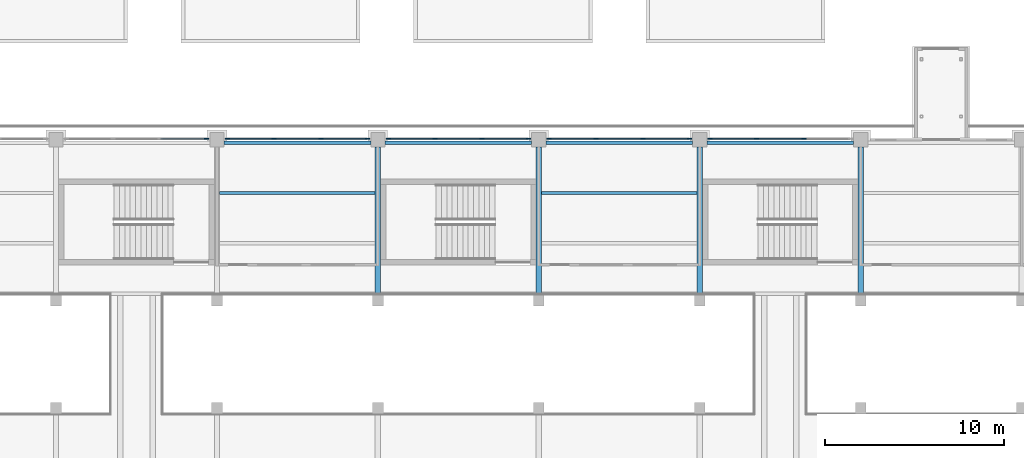
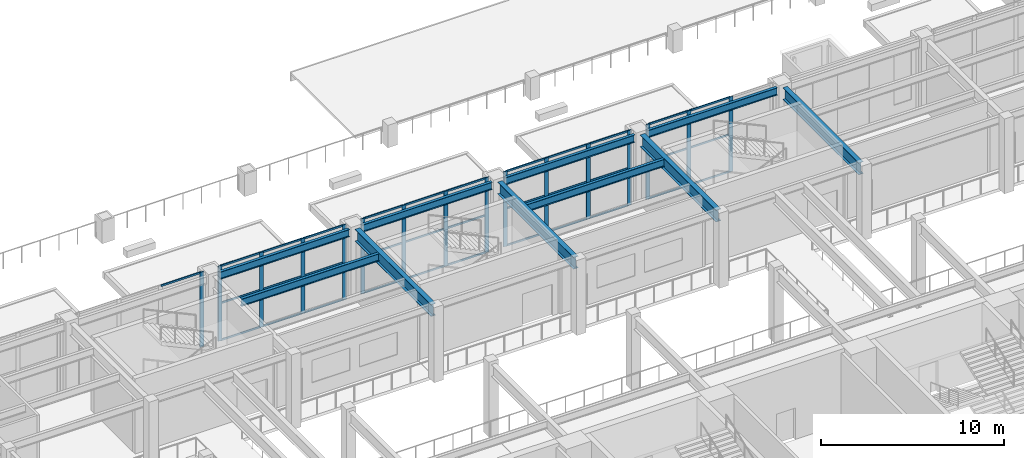
# One storey, part 15 of 67: 50 members, 10 beams, 5 elements without a shape of their own.
"""IFC4 building model written with IfcOpenShell, lengths in metres."""

from ifc_helpers import new_model, si_unit, direction, frame, origin, origin_2d, place, context, subcontext, project, spatial, rectangle, i_section, extrude, material, material_profile, profile_set, type_object, element, aggregate, save


model = new_model("IFC4")

# Units and contexts
model_context = context("Model", 3, precision=1e-05, world=origin(), true_north=direction((0.0, 1.0)))
body_context = subcontext(model_context, "Body", "Model", "MODEL_VIEW")
ifc_project = project(units=[si_unit("LENGTHUNIT", "METRE"), si_unit("AREAUNIT", "SQUARE_METRE"), si_unit("VOLUMEUNIT", "CUBIC_METRE"), si_unit("PLANEANGLEUNIT", "RADIAN"), si_unit("MASSUNIT", "GRAM", prefix="KILO")], contexts=[model_context])

# Site, building, storey
site_placement = place(None, origin())
site = spatial("IfcSite", under=ifc_project, at=site_placement, CompositionType="ELEMENT")
building_placement = place(site_placement, origin())
building = spatial("IfcBuilding", under=site, at=building_placement, Name="Aravalli Gate Trade Fair Centre", CompositionType="ELEMENT")
storey_placement = place(building_placement, frame((0.0, 0.0, 5.0)))
storey = spatial("IfcBuildingStorey", under=building, at=storey_placement, Name="L01", CompositionType="ELEMENT", Elevation=5.0)

# Curtain wall, member
ifc_material_1 = material(Name="Aluminium and glass", Category="aluminium")
curtain_wall_type = type_object("IfcCurtainWallType", Name="Curtain wall 3000 module, tall", PredefinedType="NOTDEFINED", material=ifc_material_1)
curtain_wall_1_placement = place(storey_placement, origin())
curtain_wall_1 = element("IfcCurtainWall", 1, at=curtain_wall_1_placement, inside=storey, type_object=curtain_wall_type, Name="Curtain wall north bay 4 L01", PredefinedType="NOTDEFINED")
ifc_material_2 = material(Name="Aluminium", Category="aluminium")
ifc_material_profile_1 = material_profile(ifc_material_2, rectangle(XDim=0.06005859375, YDim=0.25, at=origin_2d()), Name="Concourse curtain wall mullion 60 x 250")
ifc_profile_set_1 = profile_set([ifc_material_profile_1], Name="Aluminium")
member_type_1 = type_object("IfcMemberType", Name="Concourse curtain wall mullion 60 x 250", PredefinedType="MULLION", material=ifc_profile_set_1)
member_1_placement = place(storey_placement, frame((41.419921875, 133.044921875, 0.0), z_axis=(0.0, 0.0, 1.0), x_axis=(0.0, 1.0, 0.0)))
member_1 = element("IfcMember", 2, at=member_1_placement, type_object=member_type_1, Name="CW3 mullion 4", PredefinedType="MULLION", context=body_context, shape_type="SweptSolid", body=[
    extrude(rectangle(XDim=0.06005859375, YDim=0.25, at=origin_2d()), origin(), (0.0, 0.0, 1.0), 5.0),
])

# Curtain wall, members
curtain_wall_2_placement = place(storey_placement, origin())
curtain_wall_2 = element("IfcCurtainWall", 3, at=curtain_wall_2_placement, inside=storey, type_object=curtain_wall_type, Name="Curtain wall north bay 5 L01", PredefinedType="NOTDEFINED")
member_2_placement = place(storey_placement, frame((42.580078125, 133.044921875, 0.0), z_axis=(0.0, 0.0, 1.0), x_axis=(0.0, 1.0, 0.0)))
member_2 = element("IfcMember", 4, at=member_2_placement, type_object=member_type_1, Name="CW3 mullion 1", PredefinedType="MULLION", context=body_context, shape_type="SweptSolid", body=[
    extrude(rectangle(XDim=0.06005859375, YDim=0.25, at=origin_2d()), origin(), (0.0, 0.0, 1.0), 5.0),
])
member_3_placement = place(storey_placement, frame((45.183349609375, 133.044921875, 0.0), z_axis=(0.0, 0.0, 1.0), x_axis=(0.0, 1.0, 0.0)))
member_3 = element("IfcMember", 5, at=member_3_placement, type_object=member_type_1, Name="CW3 mullion 2", PredefinedType="MULLION", context=body_context, shape_type="SweptSolid", body=[
    extrude(rectangle(XDim=0.06005859375, YDim=0.25, at=origin_2d()), origin(), (0.0, 0.0, 1.0), 5.0),
])
member_4_placement = place(storey_placement, frame((47.816650390625, 133.044921875, 0.0), z_axis=(0.0, 0.0, 1.0), x_axis=(0.0, 1.0, 0.0)))
member_4 = element("IfcMember", 6, at=member_4_placement, type_object=member_type_1, Name="CW3 mullion 3", PredefinedType="MULLION", context=body_context, shape_type="SweptSolid", body=[
    extrude(rectangle(XDim=0.06005859375, YDim=0.25, at=origin_2d()), origin(), (0.0, 0.0, 1.0), 5.0),
])
member_5_placement = place(storey_placement, frame((50.419921875, 133.044921875, 0.0), z_axis=(0.0, 0.0, 1.0), x_axis=(0.0, 1.0, 0.0)))
member_5 = element("IfcMember", 7, at=member_5_placement, type_object=member_type_1, Name="CW3 mullion 4", PredefinedType="MULLION", context=body_context, shape_type="SweptSolid", body=[
    extrude(rectangle(XDim=0.06005859375, YDim=0.25, at=origin_2d()), origin(), (0.0, 0.0, 1.0), 5.0),
])

curtain_wall_3_placement = place(storey_placement, origin())
curtain_wall_3 = element("IfcCurtainWall", 8, at=curtain_wall_3_placement, inside=storey, type_object=curtain_wall_type, Name="Curtain wall north bay 6 L01", PredefinedType="NOTDEFINED")
member_6_placement = place(storey_placement, frame((51.580078125, 133.044921875, 0.0), z_axis=(0.0, 0.0, 1.0), x_axis=(0.0, 1.0, 0.0)))
member_6 = element("IfcMember", 9, at=member_6_placement, type_object=member_type_1, Name="CW3 mullion 1", PredefinedType="MULLION", context=body_context, shape_type="SweptSolid", body=[
    extrude(rectangle(XDim=0.06005859375, YDim=0.25, at=origin_2d()), origin(), (0.0, 0.0, 1.0), 5.0),
])
member_7_placement = place(storey_placement, frame((54.183349609375, 133.044921875, 0.0), z_axis=(0.0, 0.0, 1.0), x_axis=(0.0, 1.0, 0.0)))
member_7 = element("IfcMember", 10, at=member_7_placement, type_object=member_type_1, Name="CW3 mullion 2", PredefinedType="MULLION", context=body_context, shape_type="SweptSolid", body=[
    extrude(rectangle(XDim=0.06005859375, YDim=0.25, at=origin_2d()), origin(), (0.0, 0.0, 1.0), 5.0),
])
member_8_placement = place(storey_placement, frame((56.816650390625, 133.044921875, 0.0), z_axis=(0.0, 0.0, 1.0), x_axis=(0.0, 1.0, 0.0)))
member_8 = element("IfcMember", 11, at=member_8_placement, type_object=member_type_1, Name="CW3 mullion 3", PredefinedType="MULLION", context=body_context, shape_type="SweptSolid", body=[
    extrude(rectangle(XDim=0.06005859375, YDim=0.25, at=origin_2d()), origin(), (0.0, 0.0, 1.0), 5.0),
])
member_9_placement = place(storey_placement, frame((59.419921875, 133.044921875, 0.0), z_axis=(0.0, 0.0, 1.0), x_axis=(0.0, 1.0, 0.0)))
member_9 = element("IfcMember", 12, at=member_9_placement, type_object=member_type_1, Name="CW3 mullion 4", PredefinedType="MULLION", context=body_context, shape_type="SweptSolid", body=[
    extrude(rectangle(XDim=0.06005859375, YDim=0.25, at=origin_2d()), origin(), (0.0, 0.0, 1.0), 5.0),
])

curtain_wall_4_placement = place(storey_placement, origin())
curtain_wall_4 = element("IfcCurtainWall", 13, at=curtain_wall_4_placement, inside=storey, type_object=curtain_wall_type, Name="Curtain wall north bay 7 L01", PredefinedType="NOTDEFINED")
member_10_placement = place(storey_placement, frame((60.580078125, 133.044921875, 0.0), z_axis=(0.0, 0.0, 1.0), x_axis=(0.0, 1.0, 0.0)))
member_10 = element("IfcMember", 14, at=member_10_placement, type_object=member_type_1, Name="CW3 mullion 1", PredefinedType="MULLION", context=body_context, shape_type="SweptSolid", body=[
    extrude(rectangle(XDim=0.06005859375, YDim=0.25, at=origin_2d()), origin(), (0.0, 0.0, 1.0), 5.0),
])
member_11_placement = place(storey_placement, frame((63.183349609375, 133.044921875, 0.0), z_axis=(0.0, 0.0, 1.0), x_axis=(0.0, 1.0, 0.0)))
member_11 = element("IfcMember", 15, at=member_11_placement, type_object=member_type_1, Name="CW3 mullion 2", PredefinedType="MULLION", context=body_context, shape_type="SweptSolid", body=[
    extrude(rectangle(XDim=0.06005859375, YDim=0.25, at=origin_2d()), origin(), (0.0, 0.0, 1.0), 5.0),
])
member_12_placement = place(storey_placement, frame((65.816650390625, 133.044921875, 0.0), z_axis=(0.0, 0.0, 1.0), x_axis=(0.0, 1.0, 0.0)))
member_12 = element("IfcMember", 16, at=member_12_placement, type_object=member_type_1, Name="CW3 mullion 3", PredefinedType="MULLION", context=body_context, shape_type="SweptSolid", body=[
    extrude(rectangle(XDim=0.06005859375, YDim=0.25, at=origin_2d()), origin(), (0.0, 0.0, 1.0), 5.0),
])
member_13_placement = place(storey_placement, frame((68.419921875, 133.044921875, 0.0), z_axis=(0.0, 0.0, 1.0), x_axis=(0.0, 1.0, 0.0)))
member_13 = element("IfcMember", 17, at=member_13_placement, type_object=member_type_1, Name="CW3 mullion 4", PredefinedType="MULLION", context=body_context, shape_type="SweptSolid", body=[
    extrude(rectangle(XDim=0.06005859375, YDim=0.25, at=origin_2d()), origin(), (0.0, 0.0, 1.0), 5.0),
])

curtain_wall_5_placement = place(storey_placement, origin())
curtain_wall_5 = element("IfcCurtainWall", 18, at=curtain_wall_5_placement, inside=storey, type_object=curtain_wall_type, Name="Curtain wall north bay 8 L01", PredefinedType="NOTDEFINED")
member_14_placement = place(storey_placement, frame((69.580078125, 133.044921875, 0.0), z_axis=(0.0, 0.0, 1.0), x_axis=(0.0, 1.0, 0.0)))
member_14 = element("IfcMember", 19, at=member_14_placement, type_object=member_type_1, Name="CW3 mullion 1", PredefinedType="MULLION", context=body_context, shape_type="SweptSolid", body=[
    extrude(rectangle(XDim=0.06005859375, YDim=0.25, at=origin_2d()), origin(), (0.0, 0.0, 1.0), 5.0),
])
member_15_placement = place(storey_placement, frame((72.183349609375, 133.044921875, 0.0), z_axis=(0.0, 0.0, 1.0), x_axis=(0.0, 1.0, 0.0)))
member_15 = element("IfcMember", 20, at=member_15_placement, type_object=member_type_1, Name="CW3 mullion 2", PredefinedType="MULLION", context=body_context, shape_type="SweptSolid", body=[
    extrude(rectangle(XDim=0.06005859375, YDim=0.25, at=origin_2d()), origin(), (0.0, 0.0, 1.0), 5.0),
])
member_16_placement = place(storey_placement, frame((74.816650390625, 133.044921875, 0.0), z_axis=(0.0, 0.0, 1.0), x_axis=(0.0, 1.0, 0.0)))
member_16 = element("IfcMember", 21, at=member_16_placement, type_object=member_type_1, Name="CW3 mullion 3", PredefinedType="MULLION", context=body_context, shape_type="SweptSolid", body=[
    extrude(rectangle(XDim=0.06005859375, YDim=0.25, at=origin_2d()), origin(), (0.0, 0.0, 1.0), 5.0),
])

# Member
ifc_material_profile_2 = material_profile(ifc_material_2, rectangle(XDim=0.06005859375, YDim=0.1201171875, at=origin_2d()), Name="Concourse curtain wall transom 60 x 120")
ifc_profile_set_2 = profile_set([ifc_material_profile_2], Name="Aluminium")
member_type_2 = type_object("IfcMemberType", Name="Concourse curtain wall transom 60 x 120", PredefinedType="USERDEFINED", material=ifc_profile_set_2)
member_17_placement = place(storey_placement, frame((38.8466796875, 133.044921875, 4.969970703125), z_axis=(1.0, 0.0, 0.0), x_axis=(0.0, 1.0, 0.0)))
member_17 = element("IfcMember", 22, at=member_17_placement, type_object=member_type_2, Name="CW3 transom 3.3", ObjectType="TRANSOM", PredefinedType="USERDEFINED", context=body_context, shape_type="SweptSolid", body=[
    extrude(rectangle(XDim=0.06005859375, YDim=0.1201171875, at=origin_2d()), origin(), (0.0, 0.0, 1.0), 2.543212890625),
])

aggregate(curtain_wall_1, [member_1, member_17])

member_18_placement = place(storey_placement, frame((42.610107421875, 133.044921875, 0.030029296875), z_axis=(1.0, 0.0, 0.0), x_axis=(0.0, 1.0, 0.0)))
member_18 = element("IfcMember", 23, at=member_18_placement, type_object=member_type_2, Name="CW3 transom 1.1", ObjectType="TRANSOM", PredefinedType="USERDEFINED", context=body_context, shape_type="SweptSolid", body=[
    extrude(rectangle(XDim=0.06005859375, YDim=0.1201171875, at=origin_2d()), origin(), (0.0, 0.0, 1.0), 2.543212890625),
])

member_19_placement = place(storey_placement, frame((42.610107421875, 133.044921875, 2.5), z_axis=(1.0, 0.0, 0.0), x_axis=(0.0, 1.0, 0.0)))
member_19 = element("IfcMember", 24, at=member_19_placement, type_object=member_type_2, Name="CW3 transom 1.2", ObjectType="TRANSOM", PredefinedType="USERDEFINED", context=body_context, shape_type="SweptSolid", body=[
    extrude(rectangle(XDim=0.06005859375, YDim=0.1201171875, at=origin_2d()), origin(), (0.0, 0.0, 1.0), 2.543212890625),
])

member_20_placement = place(storey_placement, frame((42.610107421875, 133.044921875, 4.969970703125), z_axis=(1.0, 0.0, 0.0), x_axis=(0.0, 1.0, 0.0)))
member_20 = element("IfcMember", 25, at=member_20_placement, type_object=member_type_2, Name="CW3 transom 1.3", ObjectType="TRANSOM", PredefinedType="USERDEFINED", context=body_context, shape_type="SweptSolid", body=[
    extrude(rectangle(XDim=0.06005859375, YDim=0.1201171875, at=origin_2d()), origin(), (0.0, 0.0, 1.0), 2.543212890625),
])

member_21_placement = place(storey_placement, frame((45.21337890625, 133.044921875, 0.030029296875), z_axis=(1.0, 0.0, 0.0), x_axis=(0.0, 1.0, 0.0)))
member_21 = element("IfcMember", 26, at=member_21_placement, type_object=member_type_2, Name="CW3 transom 2.1", ObjectType="TRANSOM", PredefinedType="USERDEFINED", context=body_context, shape_type="SweptSolid", body=[
    extrude(rectangle(XDim=0.06005859375, YDim=0.1201171875, at=origin_2d()), origin(), (0.0, 0.0, 1.0), 2.5732421875),
])

member_22_placement = place(storey_placement, frame((45.21337890625, 133.044921875, 2.5), z_axis=(1.0, 0.0, 0.0), x_axis=(0.0, 1.0, 0.0)))
member_22 = element("IfcMember", 27, at=member_22_placement, type_object=member_type_2, Name="CW3 transom 2.2", ObjectType="TRANSOM", PredefinedType="USERDEFINED", context=body_context, shape_type="SweptSolid", body=[
    extrude(rectangle(XDim=0.06005859375, YDim=0.1201171875, at=origin_2d()), origin(), (0.0, 0.0, 1.0), 2.5732421875),
])

member_23_placement = place(storey_placement, frame((45.21337890625, 133.044921875, 4.969970703125), z_axis=(1.0, 0.0, 0.0), x_axis=(0.0, 1.0, 0.0)))
member_23 = element("IfcMember", 28, at=member_23_placement, type_object=member_type_2, Name="CW3 transom 2.3", ObjectType="TRANSOM", PredefinedType="USERDEFINED", context=body_context, shape_type="SweptSolid", body=[
    extrude(rectangle(XDim=0.06005859375, YDim=0.1201171875, at=origin_2d()), origin(), (0.0, 0.0, 1.0), 2.5732421875),
])

member_24_placement = place(storey_placement, frame((47.8466796875, 133.044921875, 0.030029296875), z_axis=(1.0, 0.0, 0.0), x_axis=(0.0, 1.0, 0.0)))
member_24 = element("IfcMember", 29, at=member_24_placement, type_object=member_type_2, Name="CW3 transom 3.1", ObjectType="TRANSOM", PredefinedType="USERDEFINED", context=body_context, shape_type="SweptSolid", body=[
    extrude(rectangle(XDim=0.06005859375, YDim=0.1201171875, at=origin_2d()), origin(), (0.0, 0.0, 1.0), 2.543212890625),
])

member_25_placement = place(storey_placement, frame((47.8466796875, 133.044921875, 2.5), z_axis=(1.0, 0.0, 0.0), x_axis=(0.0, 1.0, 0.0)))
member_25 = element("IfcMember", 30, at=member_25_placement, type_object=member_type_2, Name="CW3 transom 3.2", ObjectType="TRANSOM", PredefinedType="USERDEFINED", context=body_context, shape_type="SweptSolid", body=[
    extrude(rectangle(XDim=0.06005859375, YDim=0.1201171875, at=origin_2d()), origin(), (0.0, 0.0, 1.0), 2.543212890625),
])

member_26_placement = place(storey_placement, frame((47.8466796875, 133.044921875, 4.969970703125), z_axis=(1.0, 0.0, 0.0), x_axis=(0.0, 1.0, 0.0)))
member_26 = element("IfcMember", 31, at=member_26_placement, type_object=member_type_2, Name="CW3 transom 3.3", ObjectType="TRANSOM", PredefinedType="USERDEFINED", context=body_context, shape_type="SweptSolid", body=[
    extrude(rectangle(XDim=0.06005859375, YDim=0.1201171875, at=origin_2d()), origin(), (0.0, 0.0, 1.0), 2.543212890625),
])

aggregate(curtain_wall_2, [member_2, member_3, member_4, member_5, member_18, member_19, member_20, member_21, member_22, member_23, member_24, member_25, member_26])

member_27_placement = place(storey_placement, frame((51.610107421875, 133.044921875, 0.030029296875), z_axis=(1.0, 0.0, 0.0), x_axis=(0.0, 1.0, 0.0)))
member_27 = element("IfcMember", 32, at=member_27_placement, type_object=member_type_2, Name="CW3 transom 1.1", ObjectType="TRANSOM", PredefinedType="USERDEFINED", context=body_context, shape_type="SweptSolid", body=[
    extrude(rectangle(XDim=0.06005859375, YDim=0.1201171875, at=origin_2d()), origin(), (0.0, 0.0, 1.0), 2.543212890625),
])

member_28_placement = place(storey_placement, frame((51.610107421875, 133.044921875, 2.5), z_axis=(1.0, 0.0, 0.0), x_axis=(0.0, 1.0, 0.0)))
member_28 = element("IfcMember", 33, at=member_28_placement, type_object=member_type_2, Name="CW3 transom 1.2", ObjectType="TRANSOM", PredefinedType="USERDEFINED", context=body_context, shape_type="SweptSolid", body=[
    extrude(rectangle(XDim=0.06005859375, YDim=0.1201171875, at=origin_2d()), origin(), (0.0, 0.0, 1.0), 2.543212890625),
])

member_29_placement = place(storey_placement, frame((51.610107421875, 133.044921875, 4.969970703125), z_axis=(1.0, 0.0, 0.0), x_axis=(0.0, 1.0, 0.0)))
member_29 = element("IfcMember", 34, at=member_29_placement, type_object=member_type_2, Name="CW3 transom 1.3", ObjectType="TRANSOM", PredefinedType="USERDEFINED", context=body_context, shape_type="SweptSolid", body=[
    extrude(rectangle(XDim=0.06005859375, YDim=0.1201171875, at=origin_2d()), origin(), (0.0, 0.0, 1.0), 2.543212890625),
])

member_30_placement = place(storey_placement, frame((54.21337890625, 133.044921875, 0.030029296875), z_axis=(1.0, 0.0, 0.0), x_axis=(0.0, 1.0, 0.0)))
member_30 = element("IfcMember", 35, at=member_30_placement, type_object=member_type_2, Name="CW3 transom 2.1", ObjectType="TRANSOM", PredefinedType="USERDEFINED", context=body_context, shape_type="SweptSolid", body=[
    extrude(rectangle(XDim=0.06005859375, YDim=0.1201171875, at=origin_2d()), origin(), (0.0, 0.0, 1.0), 2.5732421875),
])

member_31_placement = place(storey_placement, frame((54.21337890625, 133.044921875, 2.5), z_axis=(1.0, 0.0, 0.0), x_axis=(0.0, 1.0, 0.0)))
member_31 = element("IfcMember", 36, at=member_31_placement, type_object=member_type_2, Name="CW3 transom 2.2", ObjectType="TRANSOM", PredefinedType="USERDEFINED", context=body_context, shape_type="SweptSolid", body=[
    extrude(rectangle(XDim=0.06005859375, YDim=0.1201171875, at=origin_2d()), origin(), (0.0, 0.0, 1.0), 2.5732421875),
])

member_32_placement = place(storey_placement, frame((54.21337890625, 133.044921875, 4.969970703125), z_axis=(1.0, 0.0, 0.0), x_axis=(0.0, 1.0, 0.0)))
member_32 = element("IfcMember", 37, at=member_32_placement, type_object=member_type_2, Name="CW3 transom 2.3", ObjectType="TRANSOM", PredefinedType="USERDEFINED", context=body_context, shape_type="SweptSolid", body=[
    extrude(rectangle(XDim=0.06005859375, YDim=0.1201171875, at=origin_2d()), origin(), (0.0, 0.0, 1.0), 2.5732421875),
])

member_33_placement = place(storey_placement, frame((56.8466796875, 133.044921875, 0.030029296875), z_axis=(1.0, 0.0, 0.0), x_axis=(0.0, 1.0, 0.0)))
member_33 = element("IfcMember", 38, at=member_33_placement, type_object=member_type_2, Name="CW3 transom 3.1", ObjectType="TRANSOM", PredefinedType="USERDEFINED", context=body_context, shape_type="SweptSolid", body=[
    extrude(rectangle(XDim=0.06005859375, YDim=0.1201171875, at=origin_2d()), origin(), (0.0, 0.0, 1.0), 2.543212890625),
])

member_34_placement = place(storey_placement, frame((56.8466796875, 133.044921875, 2.5), z_axis=(1.0, 0.0, 0.0), x_axis=(0.0, 1.0, 0.0)))
member_34 = element("IfcMember", 39, at=member_34_placement, type_object=member_type_2, Name="CW3 transom 3.2", ObjectType="TRANSOM", PredefinedType="USERDEFINED", context=body_context, shape_type="SweptSolid", body=[
    extrude(rectangle(XDim=0.06005859375, YDim=0.1201171875, at=origin_2d()), origin(), (0.0, 0.0, 1.0), 2.543212890625),
])

member_35_placement = place(storey_placement, frame((56.8466796875, 133.044921875, 4.969970703125), z_axis=(1.0, 0.0, 0.0), x_axis=(0.0, 1.0, 0.0)))
member_35 = element("IfcMember", 40, at=member_35_placement, type_object=member_type_2, Name="CW3 transom 3.3", ObjectType="TRANSOM", PredefinedType="USERDEFINED", context=body_context, shape_type="SweptSolid", body=[
    extrude(rectangle(XDim=0.06005859375, YDim=0.1201171875, at=origin_2d()), origin(), (0.0, 0.0, 1.0), 2.543212890625),
])

aggregate(curtain_wall_3, [member_6, member_7, member_8, member_9, member_27, member_28, member_29, member_30, member_31, member_32, member_33, member_34, member_35])

member_36_placement = place(storey_placement, frame((60.610107421875, 133.044921875, 0.030029296875), z_axis=(1.0, 0.0, 0.0), x_axis=(0.0, 1.0, 0.0)))
member_36 = element("IfcMember", 41, at=member_36_placement, type_object=member_type_2, Name="CW3 transom 1.1", ObjectType="TRANSOM", PredefinedType="USERDEFINED", context=body_context, shape_type="SweptSolid", body=[
    extrude(rectangle(XDim=0.06005859375, YDim=0.1201171875, at=origin_2d()), origin(), (0.0, 0.0, 1.0), 2.543212890625),
])

member_37_placement = place(storey_placement, frame((60.610107421875, 133.044921875, 2.5), z_axis=(1.0, 0.0, 0.0), x_axis=(0.0, 1.0, 0.0)))
member_37 = element("IfcMember", 42, at=member_37_placement, type_object=member_type_2, Name="CW3 transom 1.2", ObjectType="TRANSOM", PredefinedType="USERDEFINED", context=body_context, shape_type="SweptSolid", body=[
    extrude(rectangle(XDim=0.06005859375, YDim=0.1201171875, at=origin_2d()), origin(), (0.0, 0.0, 1.0), 2.543212890625),
])

member_38_placement = place(storey_placement, frame((60.610107421875, 133.044921875, 4.969970703125), z_axis=(1.0, 0.0, 0.0), x_axis=(0.0, 1.0, 0.0)))
member_38 = element("IfcMember", 43, at=member_38_placement, type_object=member_type_2, Name="CW3 transom 1.3", ObjectType="TRANSOM", PredefinedType="USERDEFINED", context=body_context, shape_type="SweptSolid", body=[
    extrude(rectangle(XDim=0.06005859375, YDim=0.1201171875, at=origin_2d()), origin(), (0.0, 0.0, 1.0), 2.543212890625),
])

member_39_placement = place(storey_placement, frame((63.21337890625, 133.044921875, 0.030029296875), z_axis=(1.0, 0.0, 0.0), x_axis=(0.0, 1.0, 0.0)))
member_39 = element("IfcMember", 44, at=member_39_placement, type_object=member_type_2, Name="CW3 transom 2.1", ObjectType="TRANSOM", PredefinedType="USERDEFINED", context=body_context, shape_type="SweptSolid", body=[
    extrude(rectangle(XDim=0.06005859375, YDim=0.1201171875, at=origin_2d()), origin(), (0.0, 0.0, 1.0), 2.5732421875),
])

member_40_placement = place(storey_placement, frame((63.21337890625, 133.044921875, 2.5), z_axis=(1.0, 0.0, 0.0), x_axis=(0.0, 1.0, 0.0)))
member_40 = element("IfcMember", 45, at=member_40_placement, type_object=member_type_2, Name="CW3 transom 2.2", ObjectType="TRANSOM", PredefinedType="USERDEFINED", context=body_context, shape_type="SweptSolid", body=[
    extrude(rectangle(XDim=0.06005859375, YDim=0.1201171875, at=origin_2d()), origin(), (0.0, 0.0, 1.0), 2.5732421875),
])

member_41_placement = place(storey_placement, frame((63.21337890625, 133.044921875, 4.969970703125), z_axis=(1.0, 0.0, 0.0), x_axis=(0.0, 1.0, 0.0)))
member_41 = element("IfcMember", 46, at=member_41_placement, type_object=member_type_2, Name="CW3 transom 2.3", ObjectType="TRANSOM", PredefinedType="USERDEFINED", context=body_context, shape_type="SweptSolid", body=[
    extrude(rectangle(XDim=0.06005859375, YDim=0.1201171875, at=origin_2d()), origin(), (0.0, 0.0, 1.0), 2.5732421875),
])

member_42_placement = place(storey_placement, frame((65.8466796875, 133.044921875, 0.030029296875), z_axis=(1.0, 0.0, 0.0), x_axis=(0.0, 1.0, 0.0)))
member_42 = element("IfcMember", 47, at=member_42_placement, type_object=member_type_2, Name="CW3 transom 3.1", ObjectType="TRANSOM", PredefinedType="USERDEFINED", context=body_context, shape_type="SweptSolid", body=[
    extrude(rectangle(XDim=0.06005859375, YDim=0.1201171875, at=origin_2d()), origin(), (0.0, 0.0, 1.0), 2.543212890625),
])

member_43_placement = place(storey_placement, frame((65.8466796875, 133.044921875, 2.5), z_axis=(1.0, 0.0, 0.0), x_axis=(0.0, 1.0, 0.0)))
member_43 = element("IfcMember", 48, at=member_43_placement, type_object=member_type_2, Name="CW3 transom 3.2", ObjectType="TRANSOM", PredefinedType="USERDEFINED", context=body_context, shape_type="SweptSolid", body=[
    extrude(rectangle(XDim=0.06005859375, YDim=0.1201171875, at=origin_2d()), origin(), (0.0, 0.0, 1.0), 2.543212890625),
])

member_44_placement = place(storey_placement, frame((65.8466796875, 133.044921875, 4.969970703125), z_axis=(1.0, 0.0, 0.0), x_axis=(0.0, 1.0, 0.0)))
member_44 = element("IfcMember", 49, at=member_44_placement, type_object=member_type_2, Name="CW3 transom 3.3", ObjectType="TRANSOM", PredefinedType="USERDEFINED", context=body_context, shape_type="SweptSolid", body=[
    extrude(rectangle(XDim=0.06005859375, YDim=0.1201171875, at=origin_2d()), origin(), (0.0, 0.0, 1.0), 2.543212890625),
])

aggregate(curtain_wall_4, [member_10, member_11, member_12, member_13, member_36, member_37, member_38, member_39, member_40, member_41, member_42, member_43, member_44])

member_45_placement = place(storey_placement, frame((69.610107421875, 133.044921875, 0.030029296875), z_axis=(1.0, 0.0, 0.0), x_axis=(0.0, 1.0, 0.0)))
member_45 = element("IfcMember", 50, at=member_45_placement, type_object=member_type_2, Name="CW3 transom 1.1", ObjectType="TRANSOM", PredefinedType="USERDEFINED", context=body_context, shape_type="SweptSolid", body=[
    extrude(rectangle(XDim=0.06005859375, YDim=0.1201171875, at=origin_2d()), origin(), (0.0, 0.0, 1.0), 2.543212890625),
])

member_46_placement = place(storey_placement, frame((69.610107421875, 133.044921875, 2.5), z_axis=(1.0, 0.0, 0.0), x_axis=(0.0, 1.0, 0.0)))
member_46 = element("IfcMember", 51, at=member_46_placement, type_object=member_type_2, Name="CW3 transom 1.2", ObjectType="TRANSOM", PredefinedType="USERDEFINED", context=body_context, shape_type="SweptSolid", body=[
    extrude(rectangle(XDim=0.06005859375, YDim=0.1201171875, at=origin_2d()), origin(), (0.0, 0.0, 1.0), 2.543212890625),
])

member_47_placement = place(storey_placement, frame((69.610107421875, 133.044921875, 4.969970703125), z_axis=(1.0, 0.0, 0.0), x_axis=(0.0, 1.0, 0.0)))
member_47 = element("IfcMember", 52, at=member_47_placement, type_object=member_type_2, Name="CW3 transom 1.3", ObjectType="TRANSOM", PredefinedType="USERDEFINED", context=body_context, shape_type="SweptSolid", body=[
    extrude(rectangle(XDim=0.06005859375, YDim=0.1201171875, at=origin_2d()), origin(), (0.0, 0.0, 1.0), 2.543212890625),
])

member_48_placement = place(storey_placement, frame((72.21337890625, 133.044921875, 0.030029296875), z_axis=(1.0, 0.0, 0.0), x_axis=(0.0, 1.0, 0.0)))
member_48 = element("IfcMember", 53, at=member_48_placement, type_object=member_type_2, Name="CW3 transom 2.1", ObjectType="TRANSOM", PredefinedType="USERDEFINED", context=body_context, shape_type="SweptSolid", body=[
    extrude(rectangle(XDim=0.06005859375, YDim=0.1201171875, at=origin_2d()), origin(), (0.0, 0.0, 1.0), 2.5732421875),
])

member_49_placement = place(storey_placement, frame((72.21337890625, 133.044921875, 2.5), z_axis=(1.0, 0.0, 0.0), x_axis=(0.0, 1.0, 0.0)))
member_49 = element("IfcMember", 54, at=member_49_placement, type_object=member_type_2, Name="CW3 transom 2.2", ObjectType="TRANSOM", PredefinedType="USERDEFINED", context=body_context, shape_type="SweptSolid", body=[
    extrude(rectangle(XDim=0.06005859375, YDim=0.1201171875, at=origin_2d()), origin(), (0.0, 0.0, 1.0), 2.5732421875),
])

member_50_placement = place(storey_placement, frame((72.21337890625, 133.044921875, 4.969970703125), z_axis=(1.0, 0.0, 0.0), x_axis=(0.0, 1.0, 0.0)))
member_50 = element("IfcMember", 55, at=member_50_placement, type_object=member_type_2, Name="CW3 transom 2.3", ObjectType="TRANSOM", PredefinedType="USERDEFINED", context=body_context, shape_type="SweptSolid", body=[
    extrude(rectangle(XDim=0.06005859375, YDim=0.1201171875, at=origin_2d()), origin(), (0.0, 0.0, 1.0), 2.5732421875),
])

aggregate(curtain_wall_5, [member_14, member_15, member_16, member_45, member_46, member_47, member_48, member_49, member_50])

# Beams
ifc_material_3 = material(Name="Steel E350", Category="steel")
ifc_material_profile_3 = material_profile(ifc_material_3, i_section(OverallWidth=0.179931640625, OverallDepth=0.5, WebThickness=0.01025390625, FlangeThickness=0.01708984375, at=origin_2d()), Name="ISMB 500")
ifc_profile_set_3 = profile_set([ifc_material_profile_3], Name="Steel E350")
beam_type_1 = type_object("IfcBeamType", Name="ISMB 500 gallery secondary beam", PredefinedType="JOIST", material=ifc_profile_set_3)
beam_1_placement = place(storey_placement, frame((42.14990234375, 130.0166015625, 4.550048828125), z_axis=(1.0, 0.0, 0.0), x_axis=(0.0, 1.0, 0.0)))
element("IfcBeam", 56, at=beam_1_placement, inside=storey, type_object=beam_type_1, Name="Gallery beam N4 05-06 L02", PredefinedType="JOIST", context=body_context, shape_type="SweptSolid", body=[
    extrude(i_section(OverallWidth=0.179931640625, OverallDepth=0.5, WebThickness=0.01025390625, FlangeThickness=0.01708984375, at=origin_2d()), origin(), (0.0, 0.0, 1.0), 8.7001953125),
])
for number, where, z_axis, x_axis, name in (
    (57, (42.39990234375, 132.830078125, 4.550048828125), (1.0, 0.0, 0.0), (0.0, 1.0, 0.0), "Gallery beam N5 05-06 L02"),
    (58, (51.39990234375, 132.830078125, 4.550048828125), (1.0, 0.0, 0.0), (0.0, 1.0, 0.0), "Gallery beam N5 06-07 L02"),
):
    element("IfcBeam", number, at=place(storey_placement, frame(where, z_axis=z_axis, x_axis=x_axis)), inside=storey, type_object=beam_type_1, Name=name, PredefinedType="JOIST", context=body_context, shape_type="SweptSolid", body=[
        extrude(i_section(OverallWidth=0.179931640625, OverallDepth=0.5, WebThickness=0.01025390625, FlangeThickness=0.01708984375, at=origin_2d()), origin(), (0.0, 0.0, 1.0), 8.2001953125),
    ])
beam_2_placement = place(storey_placement, frame((60.14990234375, 130.0166015625, 4.550048828125), z_axis=(1.0, 0.0, 0.0), x_axis=(0.0, 1.0, 0.0)))
element("IfcBeam", 59, at=beam_2_placement, inside=storey, type_object=beam_type_1, Name="Gallery beam N4 07-08 L02", PredefinedType="JOIST", context=body_context, shape_type="SweptSolid", body=[
    extrude(i_section(OverallWidth=0.179931640625, OverallDepth=0.5, WebThickness=0.01025390625, FlangeThickness=0.01708984375, at=origin_2d()), origin(), (0.0, 0.0, 1.0), 8.7001953125),
])
for number, where, z_axis, x_axis, name in (
    (60, (60.39990234375, 132.830078125, 4.550048828125), (1.0, 0.0, 0.0), (0.0, 1.0, 0.0), "Gallery beam N5 07-08 L02"),
    (61, (69.39990234375, 132.830078125, 4.550048828125), (1.0, 0.0, 0.0), (0.0, 1.0, 0.0), "Gallery beam N5 08-09 L02"),
):
    element("IfcBeam", number, at=place(storey_placement, frame(where, z_axis=z_axis, x_axis=x_axis)), inside=storey, type_object=beam_type_1, Name=name, PredefinedType="JOIST", context=body_context, shape_type="SweptSolid", body=[
        extrude(i_section(OverallWidth=0.179931640625, OverallDepth=0.5, WebThickness=0.01025390625, FlangeThickness=0.01708984375, at=origin_2d()), origin(), (0.0, 0.0, 1.0), 8.2001953125),
    ])
ifc_material_profile_4 = material_profile(ifc_material_3, i_section(OverallWidth=0.300048828125, OverallDepth=0.800048828125, WebThickness=0.011962890625, FlangeThickness=0.02490234375, at=origin_2d()), Name="PG 800x300x12x25")
ifc_profile_set_4 = profile_set([ifc_material_profile_4], Name="Steel E350")
beam_type_2 = type_object("IfcBeamType", Name="PG 800x300x12x25 gallery plate girder", PredefinedType="BEAM", material=ifc_profile_set_4)
for number, where, z_axis, x_axis, name in (
    (62, (51.0, 124.300048828125, 4.39990234375), (0.0, 1.0, 0.0), (-1.0, 0.0, 0.0), "Gallery girder N06 L02"),
    (63, (60.0, 124.300048828125, 4.39990234375), (0.0, 1.0, 0.0), (-1.0, 0.0, 0.0), "Gallery girder N07 L02"),
    (64, (69.0, 124.300048828125, 4.39990234375), (0.0, 1.0, 0.0), (-1.0, 0.0, 0.0), "Gallery girder N08 L02"),
    (65, (78.0, 124.300048828125, 4.39990234375), (0.0, 1.0, 0.0), (-1.0, 0.0, 0.0), "Gallery girder N09 L02"),
):
    element("IfcBeam", number, at=place(storey_placement, frame(where, z_axis=z_axis, x_axis=x_axis)), inside=storey, type_object=beam_type_2, Name=name, PredefinedType="BEAM", context=body_context, shape_type="SweptSolid", body=[
        extrude(i_section(OverallWidth=0.300048828125, OverallDepth=0.800048828125, WebThickness=0.011962890625, FlangeThickness=0.02490234375, at=origin_2d()), origin(), (0.0, 0.0, 1.0), 8.300048828125),
    ])

save(model, "model.ifc")
